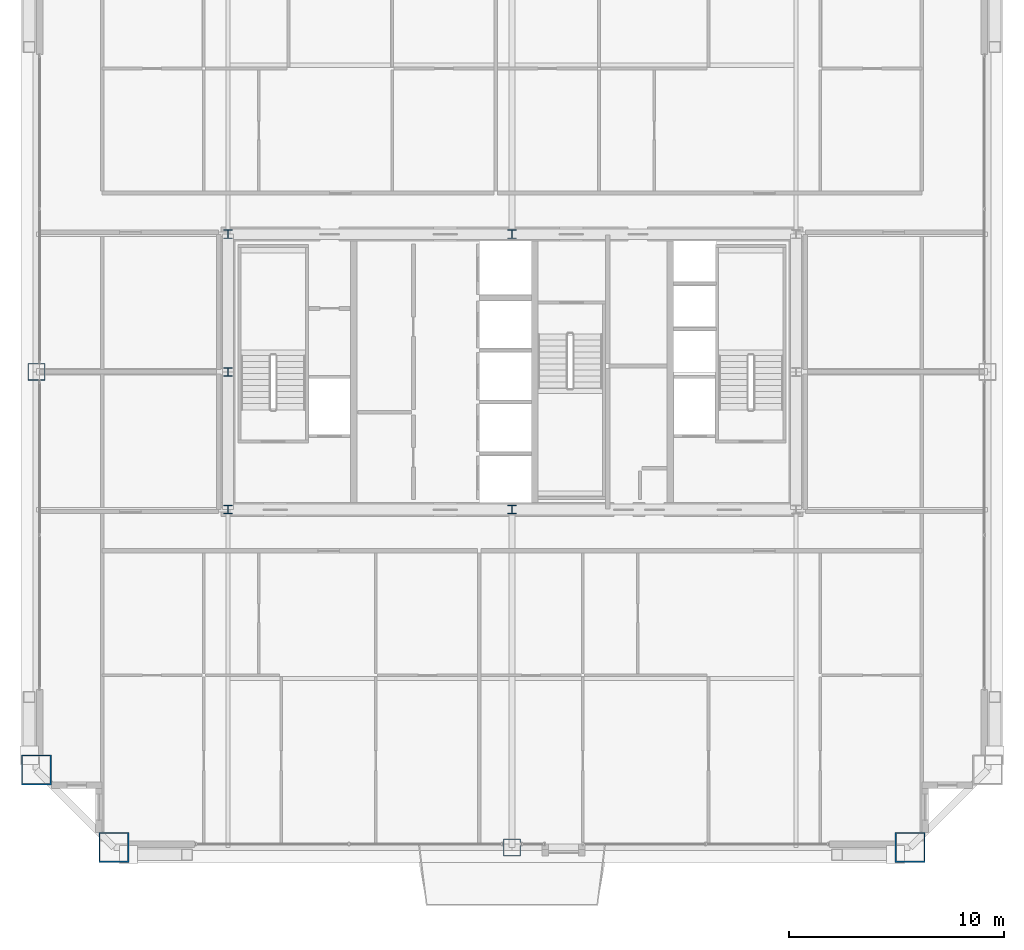
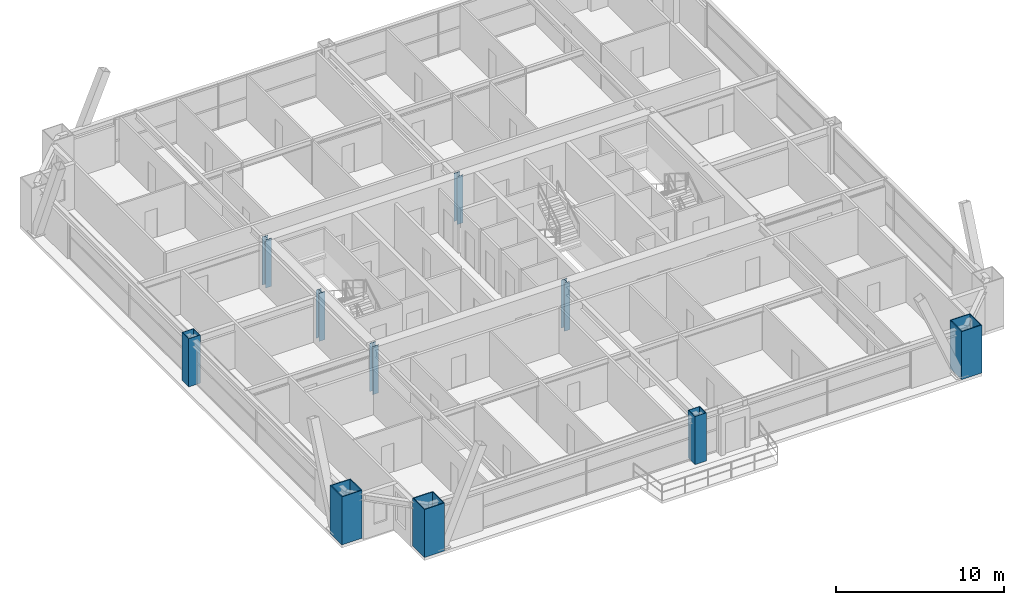
# One storey, part 1 of 45: 10 columns.
"""IFC4 building model written with IfcOpenShell, lengths in metres."""

from ifc_helpers import new_model, si_unit, direction, frame, origin, origin_2d, place, context, subcontext, project, spatial, hollow_rectangle, i_section, extrude, source, transform, mapped, material, material_profile, profile_set, type_object, element, save


model = new_model("IFC4")

# Units and contexts
model_context = context("Model", 3, precision=1e-05, world=origin(), true_north=direction((0.0, 1.0)))
body_context = subcontext(model_context, "Body", "Model", "MODEL_VIEW")
ifc_project = project(units=[si_unit("LENGTHUNIT", "METRE"), si_unit("AREAUNIT", "SQUARE_METRE"), si_unit("VOLUMEUNIT", "CUBIC_METRE"), si_unit("PLANEANGLEUNIT", "RADIAN"), si_unit("MASSUNIT", "GRAM", prefix="KILO"), si_unit("THERMODYNAMICTEMPERATUREUNIT", "KELVIN"), si_unit("POWERUNIT", "WATT")], contexts=[model_context])

# Site, building, storey
site_placement = place(None, origin())
site = spatial("IfcSite", under=ifc_project, at=site_placement, CompositionType="ELEMENT")
building_placement = place(site_placement, origin())
building = spatial("IfcBuilding", under=site, at=building_placement, Name="Yuzanri Waterfront Tower", CompositionType="ELEMENT")
storey_placement = place(building_placement, frame((0.0, 0.0, 212.5)))
storey = spatial("IfcBuildingStorey", under=building, at=storey_placement, Name="L56", CompositionType="ELEMENT", Elevation=212.5)

# Columns
ifc_material_1 = material(Name="Steel Q355B", Category="steel")
ifc_material_profile_1 = material_profile(ifc_material_1, i_section(OverallWidth=0.39990234375, OverallDepth=0.39990234375, WebThickness=0.012939453125, FlangeThickness=0.02099609375, at=origin_2d()), Name="HW 400x400x13x21")
ifc_profile_set_1 = profile_set([ifc_material_profile_1], Name="Steel Q355B")
column_type_1 = type_object("IfcColumnType", Name="Core Post Q355B HW 400x400x13x21", PredefinedType="COLUMN", material=ifc_profile_set_1)
shared_shape_1 = source(origin(), body_context, "Body", "SweptSolid", [
    extrude(i_section(OverallWidth=0.39990234375, OverallDepth=0.39990234375, WebThickness=0.012939453125, FlangeThickness=0.02099609375, at=origin_2d()), origin(), (0.0, 0.0, 1.0), 3.5),
])
for number, where, z_axis, x_axis, name in (
    (1, (23.800048828125, 19.39990234375, 0.0), (0.0, 0.0, 1.0), (1.0, 0.0, 0.0), "L56 Core Boundary Column CP1"),
    (2, (37.0, 19.39990234375, 0.0), (0.0, 0.0, 1.0), (1.0, 0.0, 0.0), "L56 Core Boundary Column CP2"),
    (3, (23.800048828125, 25.800048828125, 0.0), (0.0, 0.0, 1.0), (1.0, 0.0, 0.0), "L56 Core Boundary Column CP4"),
    (4, (23.800048828125, 32.199951171875, 0.0), (0.0, 0.0, 1.0), (1.0, 0.0, 0.0), "L56 Core Boundary Column CP6"),
    (5, (37.0, 32.199951171875, 0.0), (0.0, 0.0, 1.0), (1.0, 0.0, 0.0), "L56 Core Boundary Column CP7"),
):
    element("IfcColumn", number, at=place(storey_placement, frame(where, z_axis=z_axis, x_axis=x_axis)), inside=storey, type_object=column_type_1, Name=name, PredefinedType="COLUMN", context=body_context, shape_type="MappedRepresentation", body=[
        mapped(shared_shape_1, transform((0.0, 0.0, 0.0), scale=1.0)),
    ])
ifc_material_2 = material(Name="Steel Q420GJC", Category="steel")
ifc_material_profile_2 = material_profile(ifc_material_2, hollow_rectangle(XDim=1.39990234375, YDim=1.39990234375, WallThickness=0.06005859375, at=origin_2d()), Name="RHS 1400x1400x60")
ifc_profile_set_2 = profile_set([ifc_material_profile_2], Name="Steel Q420GJC")
column_type_2 = type_object("IfcColumnType", Name="Mega Column Q420GJC RHS 1400x1400x60", PredefinedType="COLUMN", material=ifc_profile_set_2)
shared_shape_2 = source(origin(), body_context, "Body", "SweptSolid", [
    extrude(hollow_rectangle(XDim=1.39990234375, YDim=1.39990234375, WallThickness=0.06005859375, at=origin_2d()), origin(), (0.0, 0.0, 1.0), 3.5),
])
for number, where, z_axis, x_axis, name in (
    (6, (18.5, 3.699951171875, 0.0), (0.0, 0.0, 1.0), (1.0, 0.0, 0.0), "L56 Perimeter Mega Column S1"),
    (7, (55.5, 3.699951171875, 0.0), (0.0, 0.0, 1.0), (1.0, 0.0, 0.0), "L56 Perimeter Mega Column S3"),
    (8, (14.89990234375, 7.300048828125, 0.0), (0.0, 0.0, 1.0), (1.0, 0.0, 0.0), "L56 Perimeter Mega Column W1"),
):
    element("IfcColumn", number, at=place(storey_placement, frame(where, z_axis=z_axis, x_axis=x_axis)), inside=storey, type_object=column_type_2, Name=name, PredefinedType="COLUMN", context=body_context, shape_type="MappedRepresentation", body=[
        mapped(shared_shape_2, transform((0.0, 0.0, 0.0), scale=1.0)),
    ])
ifc_material_3 = material(Name="Steel Q390GJC", Category="steel")
ifc_material_profile_3 = material_profile(ifc_material_3, hollow_rectangle(XDim=0.800048828125, YDim=0.800048828125, WallThickness=0.035888671875, at=origin_2d()), Name="RHS 800x800x36")
ifc_profile_set_3 = profile_set([ifc_material_profile_3], Name="Steel Q390GJC")
column_type_3 = type_object("IfcColumnType", Name="Frame Column Q390GJC RHS 800x800x36", PredefinedType="COLUMN", material=ifc_profile_set_3)
shared_shape_3 = source(origin(), body_context, "Body", "SweptSolid", [
    extrude(hollow_rectangle(XDim=0.800048828125, YDim=0.800048828125, WallThickness=0.035888671875, at=origin_2d()), origin(), (0.0, 0.0, 1.0), 3.5),
])
for number, where, z_axis, x_axis, name in (
    (9, (37.0, 3.699951171875, 0.0), (0.0, 0.0, 1.0), (1.0, 0.0, 0.0), "L56 Perimeter Frame Column S2"),
    (10, (14.89990234375, 25.800048828125, 0.0), (0.0, 0.0, 1.0), (1.0, 0.0, 0.0), "L56 Perimeter Frame Column W2"),
):
    element("IfcColumn", number, at=place(storey_placement, frame(where, z_axis=z_axis, x_axis=x_axis)), inside=storey, type_object=column_type_3, Name=name, PredefinedType="COLUMN", context=body_context, shape_type="MappedRepresentation", body=[
        mapped(shared_shape_3, transform((0.0, 0.0, 0.0), scale=1.0)),
    ])

save(model, "model.ifc")
